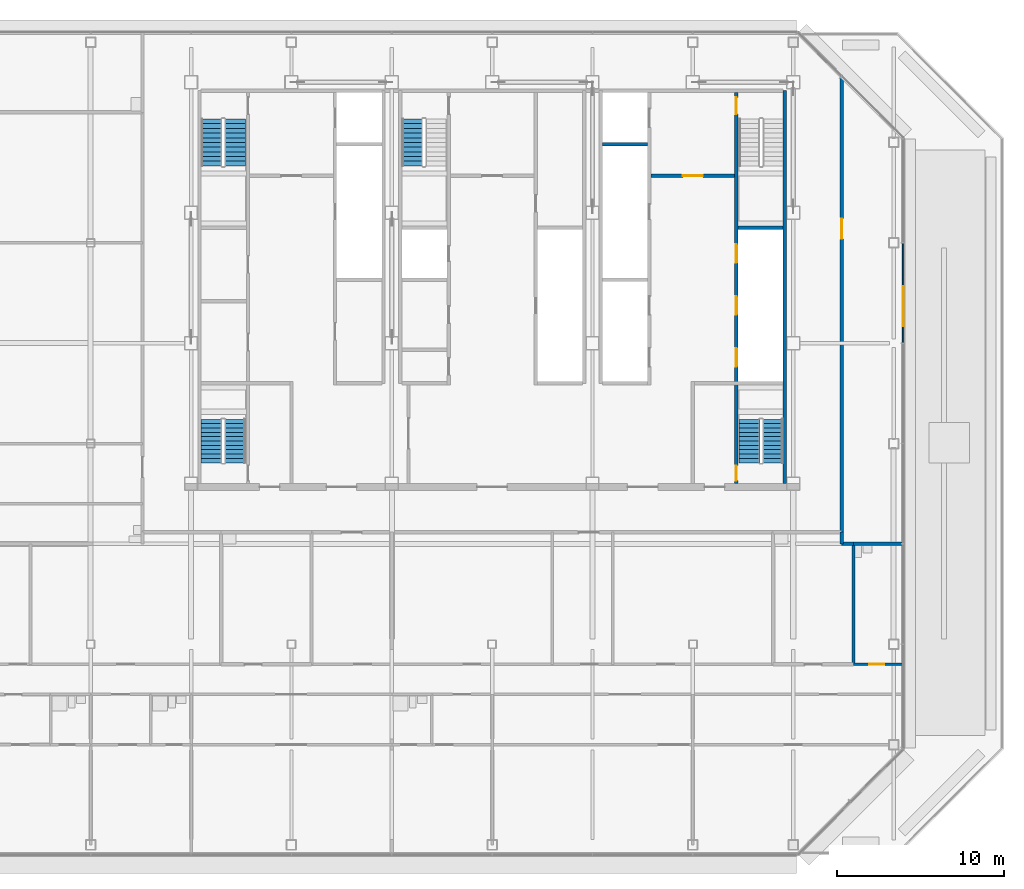
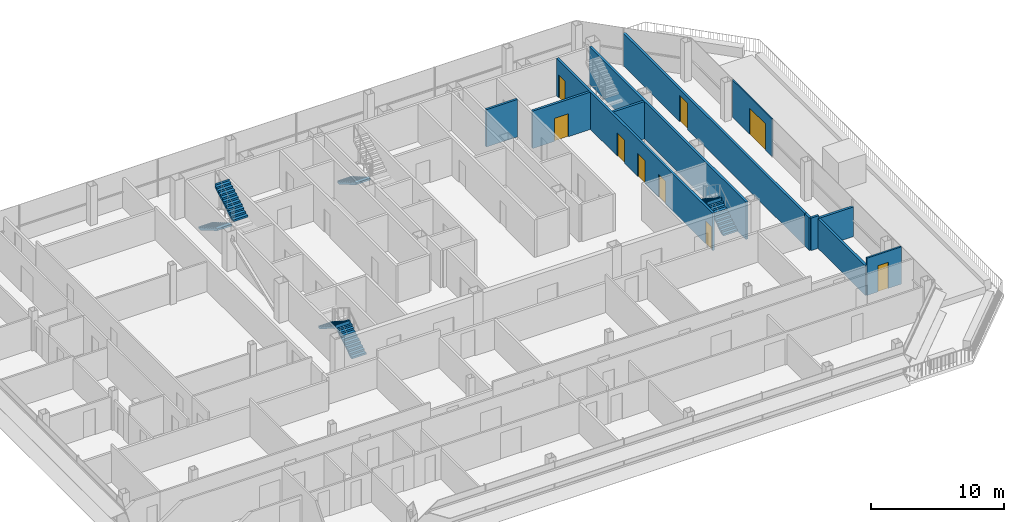
# One storey, part 22 of 28: 12 walls, 9 doors, 7 stair flights, 9 openings, 4 elements without a shape of their own.
"""IFC4 building model written with IfcOpenShell, lengths in metres."""

from ifc_helpers import new_model, si_unit, direction, frame, frame_2d, origin, place, context, subcontext, project, spatial, polyline, rectangle, outline, extrude, material, layer, layer_set, type_object, element, fill, aggregate, save


model = new_model("IFC4")

# Units and contexts
model_context = context("Model", 3, precision=1e-05, world=origin(), true_north=direction((0.0, 1.0)))
body_context = subcontext(model_context, "Body", "Model", "MODEL_VIEW")
ifc_project = project(units=[si_unit("LENGTHUNIT", "METRE"), si_unit("AREAUNIT", "SQUARE_METRE"), si_unit("VOLUMEUNIT", "CUBIC_METRE"), si_unit("PLANEANGLEUNIT", "RADIAN"), si_unit("MASSUNIT", "GRAM", prefix="KILO")], contexts=[model_context])

# Site, building, storey
site_placement = place(None, origin())
site = spatial("IfcSite", under=ifc_project, at=site_placement, CompositionType="ELEMENT")
building_placement = place(site_placement, origin())
building = spatial("IfcBuilding", under=site, at=building_placement, Name="Sorahane Residences", CompositionType="ELEMENT")
storey_placement = place(building_placement, frame((0.0, 0.0, 290.800048828125)))
storey = spatial("IfcBuildingStorey", under=building, at=storey_placement, Name="L68", CompositionType="ELEMENT", Elevation=290.800048828125)

# Wall
ifc_material_1 = material(Name="Concrete C30", Category="concrete")
ifc_layer_1 = layer(ifc_material_1, 0.199951171875)
ifc_layer_set_1 = layer_set([ifc_layer_1], Name="Core face wall 200 EI 180")
wall_type_1 = type_object("IfcWallType", Name="Core face wall 200 EI 180", PredefinedType="SOLIDWALL", material=ifc_layer_set_1)
wall_1_placement = place(storey_placement, frame((41.5, 21.60009765625, 0.0), z_axis=(0.0, 0.0, 1.0), x_axis=(0.0, 1.0, 0.0)))
element("IfcWall", 1, at=wall_1_placement, inside=storey, type_object=wall_type_1, Name="L68 core face wall", PredefinedType="SOLIDWALL", context=body_context, shape_type="SweptSolid", body=[
    extrude(rectangle(XDim=23.5, YDim=0.199951171875, at=frame_2d((11.75, 0.0))), origin(), (0.0, 0.0, 1.0), 3.419921875),
])

# Wall, opening, door
ifc_material_2 = material(Name="Concrete blockwork C20 wall", Category="masonry")
ifc_layer_2 = layer(ifc_material_2, 0.199951171875)
ifc_layer_set_2 = layer_set([ifc_layer_2], Name="Corridor wall 200 EI 120")
wall_type_2 = type_object("IfcWallType", Name="Corridor wall 200 EI 120", PredefinedType="SOLIDWALL", material=ifc_layer_set_2)
wall_2_placement = place(storey_placement, frame((44.89990234375, 18.699951171875, 0.0), z_axis=(0.0, 0.0, 1.0), x_axis=(0.0, 1.0, 0.0)))
wall_2 = element("IfcWall", 2, at=wall_2_placement, inside=storey, type_object=wall_type_2, Name="L68 corridor wall", PredefinedType="SOLIDWALL", context=body_context, shape_type="SweptSolid", body=[
    extrude(rectangle(XDim=27.2490234375, YDim=0.199951171875, at=frame_2d((13.62451171875, 0.0))), origin(), (0.0, 0.0, 1.0), 2.969970703125),
])
opening_1_placement = place(wall_2_placement, frame((17.5400390625, 0.0, 0.0)))
opening_1 = element("IfcOpeningElement", 3, at=opening_1_placement, cuts=wall_2, Name="Opening L68-45", PredefinedType="OPENING", context=body_context, shape_type="SweptSolid", body=[
    extrude(rectangle(XDim=1.199951171875, YDim=2.39990234375, at=frame_2d((0.60009765625, 1.199951171875))), frame((0.0, 0.10986328125, 0.0), z_axis=(0.0, -1.0, 0.0), x_axis=(1.0, 0.0, 0.0)), (0.0, 0.0, 1.0), 0.219970703125),
])
ifc_material_3 = material(Name="Steel", Category="steel")
door_type_1 = type_object("IfcDoorType", Name="Lobby door 1200x2400 FD60", OperationType="NOTDEFINED", PredefinedType="DOOR", material=ifc_material_3)
door_1_placement = place(opening_1_placement, frame((1.199951171875, 0.0, 0.0), z_axis=(0.0, 0.0, 1.0), x_axis=(-1.0, 0.0, 0.0)))
door_1 = element("IfcDoor", 4, at=door_1_placement, inside=storey, type_object=door_type_1, Name="Lobby door L68-45", OperationType="SINGLE_SWING_RIGHT", OverallHeight=2.39990234375, OverallWidth=1.199951171875, PredefinedType="DOOR", context=body_context, shape_type="SweptSolid", body=[
    extrude(rectangle(XDim=1.199951171875, YDim=2.39990234375, at=frame_2d((0.60009765625, 1.199951171875))), frame((0.0, 0.02490234375, 0.0), z_axis=(0.0, -1.0, 0.0), x_axis=(1.0, 0.0, 0.0)), (0.0, 0.0, 1.0), 0.050048828125),
])
fill(opening_1, door_1)

# Wall
wall_3_placement = place(storey_placement, frame((45.60009765625, 18.0, 0.0), z_axis=(0.0, 0.0, 1.0), x_axis=(1.0, 0.0, 0.0)))
element("IfcWall", 5, at=wall_3_placement, inside=storey, type_object=wall_type_2, Name="L68 corridor wall", PredefinedType="SOLIDWALL", context=body_context, shape_type="SweptSolid", body=[
    extrude(rectangle(XDim=3.0, YDim=0.199951171875, at=frame_2d((1.5, 0.0))), origin(), (0.0, 0.0, 1.0), 2.719970703125),
])

# Wall, opening, door
ifc_material_4 = material(Name="Concrete C30", Category="concrete")
ifc_layer_3 = layer(ifc_material_4, 0.199951171875)
ifc_layer_set_3 = layer_set([ifc_layer_3], Name="Front room wall 200 EI 120")
wall_type_3 = type_object("IfcWallType", Name="Front room wall 200 EI 120", PredefinedType="PARTITIONING", material=ifc_layer_set_3)
wall_4_placement = place(storey_placement, frame((33.5, 40.0, 0.0), z_axis=(0.0, 0.0, 1.0), x_axis=(1.0, 0.0, 0.0)))
wall_4 = element("IfcWall", 6, at=wall_4_placement, inside=storey, type_object=wall_type_3, Name="L68 front room wall", PredefinedType="PARTITIONING", context=body_context, shape_type="SweptSolid", body=[
    extrude(rectangle(XDim=5.0, YDim=0.199951171875, at=frame_2d((2.5, 0.0))), origin(), (0.0, 0.0, 1.0), 3.419921875),
])
opening_2_placement = place(wall_4_placement, frame((1.89990234375, 0.0, 0.0)))
opening_2 = element("IfcOpeningElement", 7, at=opening_2_placement, cuts=wall_4, Name="Opening L68-C09", PredefinedType="OPENING", context=body_context, shape_type="SweptSolid", body=[
    extrude(rectangle(XDim=1.199951171875, YDim=2.10009765625, at=frame_2d((0.60009765625, 1.050048828125))), frame((0.0, 0.10986328125, 0.0), z_axis=(0.0, -1.0, 0.0), x_axis=(1.0, 0.0, 0.0)), (0.0, 0.0, 1.0), 0.219970703125),
])
ifc_material_5 = material(Name="Steel", Category="steel")
door_type_2 = type_object("IfcDoorType", Name="Front room door 1200x2100 FD120", OperationType="NOTDEFINED", PredefinedType="DOOR", material=ifc_material_5)
door_2_placement = place(opening_2_placement, frame((1.199951171875, 0.0, 0.0), z_axis=(0.0, 0.0, 1.0), x_axis=(-1.0, 0.0, 0.0)))
door_2 = element("IfcDoor", 8, at=door_2_placement, inside=storey, type_object=door_type_2, Name="Front room door Firefighting lobby FF2 front room L68", OperationType="DOUBLE_DOOR_SINGLE_SWING", OverallHeight=2.10009765625, OverallWidth=1.199951171875, PredefinedType="DOOR", context=body_context, shape_type="SweptSolid", body=[
    extrude(rectangle(XDim=1.199951171875, YDim=2.10009765625, at=frame_2d((0.60009765625, 1.050048828125))), frame((0.0, 0.02490234375, 0.0), z_axis=(0.0, -1.0, 0.0), x_axis=(1.0, 0.0, 0.0)), (0.0, 0.0, 1.0), 0.050048828125),
])
fill(opening_2, door_2)

ifc_material_6 = material(Name="Toughened low-iron glass", Category="glass")
ifc_layer_4 = layer(ifc_material_6, 0.10009765625)
ifc_layer_set_4 = layer_set([ifc_layer_4], Name="Glazed door screen toughened low-iron glass 100")
wall_type_4 = type_object("IfcWallType", Name="Glazed door screen toughened low-iron glass 100", PredefinedType="SOLIDWALL", material=ifc_layer_set_4)
wall_5_placement = place(storey_placement, frame((48.570068359375, 30.02490234375, 0.0), z_axis=(0.0, 0.0, 1.0), x_axis=(0.0, 1.0, 0.0)))
wall_5 = element("IfcWall", 9, at=wall_5_placement, inside=storey, type_object=wall_type_4, Name="Glazed door screen L68 E1.5", PredefinedType="SOLIDWALL", context=body_context, shape_type="SweptSolid", body=[
    extrude(rectangle(XDim=5.9501953125, YDim=0.10009765625, at=frame_2d((2.97509765625, 0.0))), origin(), (0.0, 0.0, 1.0), 3.419921875),
])
opening_3_placement = place(wall_5_placement, frame((0.971435546875, 0.0, 0.0)))
opening_3 = element("IfcOpeningElement", 10, at=opening_3_placement, cuts=wall_5, Name="Opening L68-F01", PredefinedType="OPENING", context=body_context, shape_type="SweptSolid", body=[
    extrude(rectangle(XDim=2.39990234375, YDim=2.39990234375, at=frame_2d((1.199951171875, 1.199951171875))), frame((0.0, 0.06005859375, 0.0), z_axis=(0.0, -1.0, 0.0), x_axis=(1.0, 0.0, 0.0)), (0.0, 0.0, 1.0), 0.1201171875),
])
ifc_material_7 = material(Name="Black anodised aluminium and low-iron glass", Category="aluminium")
door_type_3 = type_object("IfcDoorType", Name="Glazed terrace door black aluminium 2400x2400", OperationType="DOUBLE_DOOR_SINGLE_SWING", PredefinedType="DOOR", material=ifc_material_7)
door_3_placement = place(opening_3_placement, origin())
door_3 = element("IfcDoor", 11, at=door_3_placement, inside=storey, type_object=door_type_3, Name="Terrace door L68-F01", OperationType="DOUBLE_DOOR_SINGLE_SWING", OverallHeight=2.39990234375, OverallWidth=2.39990234375, PredefinedType="DOOR", context=body_context, shape_type="SweptSolid", body=[
    extrude(rectangle(XDim=2.39990234375, YDim=2.39990234375, at=frame_2d((1.199951171875, 1.199951171875))), frame((0.0, 0.02490234375, 0.0), z_axis=(0.0, -1.0, 0.0), x_axis=(1.0, 0.0, 0.0)), (0.0, 0.0, 1.0), 0.050048828125),
])
fill(opening_3, door_3)

# Walls
ifc_material_8 = material(Name="Concrete blockwork C20 wall", Category="masonry")
ifc_layer_5 = layer(ifc_material_8, 0.199951171875)
ifc_layer_set_5 = layer_set([ifc_layer_5], Name="Kitchen wall 200 EI 180")
wall_type_5 = type_object("IfcWallType", Name="Kitchen wall 200 EI 180", PredefinedType="SOLIDWALL", material=ifc_layer_set_5)
wall_6_placement = place(storey_placement, frame((44.89990234375, 18.0, 0.0), z_axis=(0.0, 0.0, 1.0), x_axis=(0.0, 1.0, 0.0)))
element("IfcWall", 12, at=wall_6_placement, inside=storey, type_object=wall_type_5, Name="L68 kitchen wall", PredefinedType="SOLIDWALL", context=body_context, shape_type="SweptSolid", body=[
    extrude(rectangle(XDim=0.699951171875, YDim=0.199951171875, at=frame_2d((0.35009765625, 0.0))), origin(), (0.0, 0.0, 1.0), 2.969970703125),
])
wall_7_placement = place(storey_placement, frame((45.60009765625, 10.800048828125, 0.0), z_axis=(0.0, 0.0, 1.0), x_axis=(0.0, 1.0, 0.0)))
element("IfcWall", 13, at=wall_7_placement, inside=storey, type_object=wall_type_5, Name="L68 kitchen wall", PredefinedType="SOLIDWALL", context=body_context, shape_type="SweptSolid", body=[
    extrude(rectangle(XDim=7.199951171875, YDim=0.199951171875, at=frame_2d((3.60009765625, 0.0))), origin(), (0.0, 0.0, 1.0), 2.719970703125),
])
wall_8_placement = place(storey_placement, frame((44.89990234375, 18.0, 0.0), z_axis=(0.0, 0.0, 1.0), x_axis=(1.0, 0.0, 0.0)))
element("IfcWall", 14, at=wall_8_placement, inside=storey, type_object=wall_type_5, Name="L68 kitchen wall", PredefinedType="SOLIDWALL", context=body_context, shape_type="SweptSolid", body=[
    extrude(rectangle(XDim=0.7001953125, YDim=0.199951171875, at=frame_2d((0.35009765625, 0.0))), origin(), (0.0, 0.0, 1.0), 2.969970703125),
])
ifc_material_9 = material(Name="Concrete C30", Category="concrete")
ifc_layer_6 = layer(ifc_material_9, 0.199951171875)
ifc_layer_set_6 = layer_set([ifc_layer_6], Name="Lift shaft wall 200 EI 120")
wall_type_6 = type_object("IfcWallType", Name="Lift shaft wall 200 EI 120", PredefinedType="SOLIDWALL", material=ifc_layer_set_6)
wall_9_placement = place(storey_placement, frame((30.60009765625, 41.89990234375, 0.0), z_axis=(0.0, 0.0, 1.0), x_axis=(1.0, 0.0, 0.0)))
element("IfcWall", 15, at=wall_9_placement, inside=storey, type_object=wall_type_6, Name="L68 lift shaft wall", PredefinedType="SOLIDWALL", context=body_context, shape_type="SweptSolid", body=[
    extrude(rectangle(XDim=2.699951171875, YDim=0.199951171875, at=frame_2d((1.35009765625, 0.0))), origin(), (0.0, 0.0, 1.0), 3.419921875),
])

# Wall, openings, doors
ifc_material_10 = material(Name="Concrete C30", Category="concrete")
ifc_layer_7 = layer(ifc_material_10, 0.199951171875)
ifc_layer_set_7 = layer_set([ifc_layer_7], Name="Stair enclosure wall 200 EI 120")
wall_type_7 = type_object("IfcWallType", Name="Stair enclosure wall 200 EI 120", PredefinedType="SOLIDWALL", material=ifc_layer_set_7)
wall_10_placement = place(storey_placement, frame((38.60009765625, 21.60009765625, 0.0), z_axis=(0.0, 0.0, 1.0), x_axis=(0.0, 1.0, 0.0)))
wall_10 = element("IfcWall", 16, at=wall_10_placement, inside=storey, type_object=wall_type_7, Name="L68 stair enclosure wall", PredefinedType="SOLIDWALL", context=body_context, shape_type="SweptSolid", body=[
    extrude(rectangle(XDim=23.39990234375, YDim=0.199951171875, at=frame_2d((11.699951171875, 0.0))), origin(), (0.0, 0.0, 1.0), 3.419921875),
])
opening_4_placement = place(wall_10_placement, frame((7.0, 0.0, 0.0)))
opening_4 = element("IfcOpeningElement", 17, at=opening_4_placement, cuts=wall_10, Name="Opening L68-C10", PredefinedType="OPENING", context=body_context, shape_type="SweptSolid", body=[
    extrude(rectangle(XDim=1.10009765625, YDim=2.10009765625, at=frame_2d((0.550048828125, 1.050048828125))), frame((0.0, 0.10986328125, 0.0), z_axis=(0.0, -1.0, 0.0), x_axis=(1.0, 0.0, 0.0)), (0.0, 0.0, 1.0), 0.219970703125),
])
opening_5_placement = place(wall_10_placement, frame((10.10009765625, 0.0, 0.0)))
opening_5 = element("IfcOpeningElement", 18, at=opening_5_placement, cuts=wall_10, Name="Opening L68-C11", PredefinedType="OPENING", context=body_context, shape_type="SweptSolid", body=[
    extrude(rectangle(XDim=1.10009765625, YDim=2.10009765625, at=frame_2d((0.550048828125, 1.050048828125))), frame((0.0, 0.10986328125, 0.0), z_axis=(0.0, -1.0, 0.0), x_axis=(1.0, 0.0, 0.0)), (0.0, 0.0, 1.0), 0.219970703125),
])
opening_6_placement = place(wall_10_placement, frame((13.199951171875, 0.0, 0.0)))
opening_6 = element("IfcOpeningElement", 19, at=opening_6_placement, cuts=wall_10, Name="Opening L68-C12", PredefinedType="OPENING", context=body_context, shape_type="SweptSolid", body=[
    extrude(rectangle(XDim=1.10009765625, YDim=2.10009765625, at=frame_2d((0.550048828125, 1.050048828125))), frame((0.0, 0.10986328125, 0.0), z_axis=(0.0, -1.0, 0.0), x_axis=(1.0, 0.0, 0.0)), (0.0, 0.0, 1.0), 0.219970703125),
])
opening_7_placement = place(wall_10_placement, frame((22.10009765625, 0.0, 0.0)))
opening_7 = element("IfcOpeningElement", 20, at=opening_7_placement, cuts=wall_10, Name="Opening L68-C23", PredefinedType="OPENING", context=body_context, shape_type="SweptSolid", body=[
    extrude(rectangle(XDim=1.0, YDim=2.10009765625, at=frame_2d((0.5, 1.050048828125))), frame((0.0, 0.10986328125, 0.0), z_axis=(0.0, -1.0, 0.0), x_axis=(1.0, 0.0, 0.0)), (0.0, 0.0, 1.0), 0.219970703125),
])
opening_8_placement = place(wall_10_placement, frame((0.175048828125, 0.0, 0.0)))
opening_8 = element("IfcOpeningElement", 21, at=opening_8_placement, cuts=wall_10, Name="Opening L68-C26", PredefinedType="OPENING", context=body_context, shape_type="SweptSolid", body=[
    extrude(rectangle(XDim=0.89990234375, YDim=2.10009765625, at=frame_2d((0.449951171875, 1.050048828125))), frame((0.0, 0.10986328125, 0.0), z_axis=(0.0, -1.0, 0.0), x_axis=(1.0, 0.0, 0.0)), (0.0, 0.0, 1.0), 0.219970703125),
])
ifc_material_11 = material(Name="Aluminium and stainless steel", Category="steel")
door_type_4 = type_object("IfcDoorType", Name="Lift landing door 1100x2100 E 60", OperationType="NOTDEFINED", PredefinedType="DOOR", material=ifc_material_11)
door_4_placement = place(opening_4_placement, origin())
door_4 = element("IfcDoor", 22, at=door_4_placement, inside=storey, type_object=door_type_4, Name="Lift landing door HR1 L68", OperationType="DOUBLE_DOOR_SLIDING", OverallHeight=2.10009765625, OverallWidth=1.10009765625, PredefinedType="DOOR", context=body_context, shape_type="SweptSolid", body=[
    extrude(rectangle(XDim=1.10009765625, YDim=2.10009765625, at=frame_2d((0.550048828125, 1.050048828125))), frame((0.0, 0.02490234375, 0.0), z_axis=(0.0, -1.0, 0.0), x_axis=(1.0, 0.0, 0.0)), (0.0, 0.0, 1.0), 0.050048828125),
])
fill(opening_4, door_4)
door_5_placement = place(opening_5_placement, origin())
door_5 = element("IfcDoor", 23, at=door_5_placement, inside=storey, type_object=door_type_4, Name="Lift landing door HR2 L68", OperationType="DOUBLE_DOOR_SLIDING", OverallHeight=2.10009765625, OverallWidth=1.10009765625, PredefinedType="DOOR", context=body_context, shape_type="SweptSolid", body=[
    extrude(rectangle(XDim=1.10009765625, YDim=2.10009765625, at=frame_2d((0.550048828125, 1.050048828125))), frame((0.0, 0.02490234375, 0.0), z_axis=(0.0, -1.0, 0.0), x_axis=(1.0, 0.0, 0.0)), (0.0, 0.0, 1.0), 0.050048828125),
])
fill(opening_5, door_5)
door_6_placement = place(opening_6_placement, origin())
door_6 = element("IfcDoor", 24, at=door_6_placement, inside=storey, type_object=door_type_4, Name="Lift landing door HR3 L68", OperationType="DOUBLE_DOOR_SLIDING", OverallHeight=2.10009765625, OverallWidth=1.10009765625, PredefinedType="DOOR", context=body_context, shape_type="SweptSolid", body=[
    extrude(rectangle(XDim=1.10009765625, YDim=2.10009765625, at=frame_2d((0.550048828125, 1.050048828125))), frame((0.0, 0.02490234375, 0.0), z_axis=(0.0, -1.0, 0.0), x_axis=(1.0, 0.0, 0.0)), (0.0, 0.0, 1.0), 0.050048828125),
])
fill(opening_6, door_6)
ifc_material_12 = material(Name="Steel", Category="steel")
door_type_5 = type_object("IfcDoorType", Name="Stair door 1000x2100 FD120", OperationType="NOTDEFINED", PredefinedType="DOOR", material=ifc_material_12)
door_7_placement = place(opening_7_placement, frame((1.0, 0.0, 0.0), z_axis=(0.0, 0.0, 1.0), x_axis=(-1.0, 0.0, 0.0)))
door_7 = element("IfcDoor", 25, at=door_7_placement, inside=storey, type_object=door_type_5, Name="Stair door S2 L68", OperationType="SINGLE_SWING_LEFT", OverallHeight=2.10009765625, OverallWidth=1.0, PredefinedType="DOOR", context=body_context, shape_type="SweptSolid", body=[
    extrude(rectangle(XDim=1.0, YDim=2.10009765625, at=frame_2d((0.5, 1.050048828125))), frame((0.0, 0.02490234375, 0.0), z_axis=(0.0, -1.0, 0.0), x_axis=(1.0, 0.0, 0.0)), (0.0, 0.0, 1.0), 0.050048828125),
])
fill(opening_7, door_7)
ifc_material_13 = material(Name="Steel", Category="steel")
door_type_6 = type_object("IfcDoorType", Name="Stair door 900x2100 FD120", OperationType="NOTDEFINED", PredefinedType="DOOR", material=ifc_material_13)
door_8_placement = place(opening_8_placement, frame((0.89990234375, 0.0, 0.0), z_axis=(0.0, 0.0, 1.0), x_axis=(-1.0, 0.0, 0.0)))
door_8 = element("IfcDoor", 26, at=door_8_placement, inside=storey, type_object=door_type_6, Name="Stair door S5 L68", OperationType="SINGLE_SWING_LEFT", OverallHeight=2.10009765625, OverallWidth=0.89990234375, PredefinedType="DOOR", context=body_context, shape_type="SweptSolid", body=[
    extrude(rectangle(XDim=0.89990234375, YDim=2.10009765625, at=frame_2d((0.449951171875, 1.050048828125))), frame((0.0, 0.02490234375, 0.0), z_axis=(0.0, -1.0, 0.0), x_axis=(1.0, 0.0, 0.0)), (0.0, 0.0, 1.0), 0.050048828125),
])
fill(opening_8, door_8)

# Wall
wall_11_placement = place(storey_placement, frame((38.699951171875, 36.89990234375, 0.0), z_axis=(0.0, 0.0, 1.0), x_axis=(1.0, 0.0, 0.0)))
element("IfcWall", 27, at=wall_11_placement, inside=storey, type_object=wall_type_7, Name="L68 stair enclosure wall", PredefinedType="SOLIDWALL", context=body_context, shape_type="SweptSolid", body=[
    extrude(rectangle(XDim=2.699951171875, YDim=0.199951171875, at=frame_2d((1.35009765625, 0.0))), origin(), (0.0, 0.0, 1.0), 3.419921875),
])

# Wall, opening, door
ifc_material_14 = material(Name="Gypsum board partition on steel studs", Category="steel")
ifc_layer_8 = layer(ifc_material_14, 0.14990234375)
ifc_layer_set_8 = layer_set([ifc_layer_8], Name="Wet wall 150 EI 90")
wall_type_8 = type_object("IfcWallType", Name="Wet wall 150 EI 90", PredefinedType="PARTITIONING", material=ifc_layer_set_8)
wall_12_placement = place(storey_placement, frame((45.60009765625, 10.800048828125, 0.0), z_axis=(0.0, 0.0, 1.0), x_axis=(1.0, 0.0, 0.0)))
wall_12 = element("IfcWall", 28, at=wall_12_placement, inside=storey, type_object=wall_type_8, Name="L68 wet wall", PredefinedType="PARTITIONING", context=body_context, shape_type="SweptSolid", body=[
    extrude(rectangle(XDim=3.0, YDim=0.14990234375, at=frame_2d((1.5, 0.0))), origin(), (0.0, 0.0, 1.0), 3.419921875),
])
opening_9_placement = place(wall_12_placement, frame((0.949951171875, 0.0, 0.0)))
opening_9 = element("IfcOpeningElement", 29, at=opening_9_placement, cuts=wall_12, Name="Opening L68-20", PredefinedType="OPENING", context=body_context, shape_type="SweptSolid", body=[
    extrude(rectangle(XDim=0.89990234375, YDim=2.39990234375, at=frame_2d((0.449951171875, 1.199951171875))), frame((0.0, 0.0849609375, 0.0), z_axis=(0.0, -1.0, 0.0), x_axis=(1.0, 0.0, 0.0)), (0.0, 0.0, 1.0), 0.169921875),
])
ifc_material_15 = material(Name="Timber veneered fire door", Category="wood")
door_type_7 = type_object("IfcDoorType", Name="Bathroom door 900x2400 FD30", OperationType="NOTDEFINED", PredefinedType="DOOR", material=ifc_material_15)
door_9_placement = place(opening_9_placement, frame((0.89990234375, 0.0, 0.0), z_axis=(0.0, 0.0, 1.0), x_axis=(-1.0, 0.0, 0.0)))
door_9 = element("IfcDoor", 30, at=door_9_placement, inside=storey, type_object=door_type_7, Name="Bathroom door L68-20", OperationType="SINGLE_SWING_RIGHT", OverallHeight=2.39990234375, OverallWidth=0.89990234375, PredefinedType="DOOR", context=body_context, shape_type="SweptSolid", body=[
    extrude(rectangle(XDim=0.89990234375, YDim=2.39990234375, at=frame_2d((0.449951171875, 1.199951171875))), frame((0.0, 0.02490234375, 0.0), z_axis=(0.0, -1.0, 0.0), x_axis=(1.0, 0.0, 0.0)), (0.0, 0.0, 1.0), 0.050048828125),
])
fill(opening_9, door_9)

# Stair, stair flights
ifc_material_16 = material(Name="Concrete C40", Category="concrete")
stair_type = type_object("IfcStairType", Name="Dog-leg stair 1250 Concrete C40", PredefinedType="HALF_TURN_STAIR", material=ifc_material_16)
stair_1_placement = place(storey_placement, origin())
stair_1 = element("IfcStair", 31, at=stair_1_placement, inside=storey, type_object=stair_type, Name="L68 Stair S1", PredefinedType="HALF_TURN_STAIR")
ifc_material_17 = material(Name="Concrete C40", Category="concrete")
stair_flight_type = type_object("IfcStairFlightType", Name="Stair flight 1250 Concrete C40", PredefinedType="STRAIGHT", material=ifc_material_17)
stair_flight_1_placement = place(storey_placement, frame((7.22509765625, 43.39990234375, 0.0), z_axis=(0.0, 0.0, 1.0), x_axis=(0.0, -1.0, 0.0)))
stair_flight_1 = element("IfcStairFlight", 32, at=stair_flight_1_placement, type_object=stair_flight_type, Name="S1 flight 1", NumberOfRisers=11, NumberOfTreads=10, PredefinedType="STRAIGHT", RiserHeight=0.163636364, TreadLength=0.28, context=body_context, shape_type="SweptSolid", body=[
    extrude(outline(polyline([(-0.00146484375, 0.0), (-0.00146484375, 0.16357421875), (0.0, 0.16357421875), (0.280029296875, 0.16357421875), (0.280029296875, 0.327392578125), (0.56005859375, 0.327392578125), (0.56005859375, 0.490966796875), (0.840087890625, 0.490966796875), (0.840087890625, 0.654541015625), (1.1201171875, 0.654541015625), (1.1201171875, 0.818115234375), (1.39990234375, 0.818115234375), (1.39990234375, 0.98193359375), (1.679931640625, 0.98193359375), (1.679931640625, 1.1455078125), (1.9599609375, 1.1455078125), (1.9599609375, 1.30908203125), (2.239990234375, 1.30908203125), (2.239990234375, 1.47265625), (2.52001953125, 1.47265625), (2.52001953125, 1.636474609375), (2.800048828125, 1.636474609375), (2.800048828125, 1.800048828125), (2.800048828125, 1.462646484375), (2.59130859375, 1.3408203125), (2.3828125, 1.218994140625), (2.17431640625, 1.09716796875), (1.965576171875, 0.97509765625), (1.757080078125, 0.853271484375), (1.548583984375, 0.7314453125), (1.340087890625, 0.609375), (1.13134765625, 0.487548828125), (0.9228515625, 0.36572265625), (0.71435546875, 0.243896484375), (0.505615234375, 0.121826171875), (0.297119140625, 0.0), (-0.00146484375, 0.0)])), frame((0.0, 0.625, 0.0), z_axis=(0.0, -1.0, 0.0), x_axis=(1.0, 0.0, 0.0)), (0.0, 0.0, 1.0), 1.25),
])
stair_flight_2_placement = place(storey_placement, frame((8.625, 40.60009765625, 1.800048828125), z_axis=(0.0, 0.0, 1.0), x_axis=(0.0, 1.0, 0.0)))
stair_flight_2 = element("IfcStairFlight", 33, at=stair_flight_2_placement, type_object=stair_flight_type, Name="S1 flight 2", NumberOfRisers=11, NumberOfTreads=10, PredefinedType="STRAIGHT", RiserHeight=0.163636364, TreadLength=0.28, context=body_context, shape_type="SweptSolid", body=[
    extrude(outline(polyline([(0.0, 0.0), (0.0, 0.16357421875), (0.280029296875, 0.16357421875), (0.280029296875, 0.327392578125), (0.56005859375, 0.327392578125), (0.56005859375, 0.490966796875), (0.840087890625, 0.490966796875), (0.840087890625, 0.654541015625), (1.1201171875, 0.654541015625), (1.1201171875, 0.818115234375), (1.39990234375, 0.818115234375), (1.39990234375, 0.98193359375), (1.679931640625, 0.98193359375), (1.679931640625, 1.1455078125), (1.9599609375, 1.1455078125), (1.9599609375, 1.30908203125), (2.239990234375, 1.30908203125), (2.239990234375, 1.47265625), (2.52001953125, 1.47265625), (2.52001953125, 1.636474609375), (2.800048828125, 1.636474609375), (2.800048828125, 1.800048828125), (2.801513671875, 1.800048828125), (2.801513671875, 1.462646484375), (2.5927734375, 1.3408203125), (2.384033203125, 1.218994140625), (2.17529296875, 1.09716796875), (1.966796875, 0.97509765625), (1.758056640625, 0.853271484375), (1.54931640625, 0.7314453125), (1.340576171875, 0.609375), (1.1318359375, 0.487548828125), (0.923095703125, 0.36572265625), (0.714599609375, 0.243896484375), (0.505859375, 0.121826171875), (0.297119140625, 0.0), (0.0, 0.0)])), frame((0.0, 0.625, 0.0), z_axis=(0.0, -1.0, 0.0), x_axis=(1.0, 0.0, 0.0)), (0.0, 0.0, 1.0), 1.25),
])
aggregate(stair_1, [stair_flight_1, stair_flight_2])

# Stair, stair flight
stair_2_placement = place(storey_placement, origin())
stair_2 = element("IfcStair", 34, at=stair_2_placement, inside=storey, type_object=stair_type, Name="L68 Stair S3", PredefinedType="HALF_TURN_STAIR")
stair_flight_3_placement = place(storey_placement, frame((19.22509765625, 43.39990234375, 0.0), z_axis=(0.0, 0.0, 1.0), x_axis=(0.0, -1.0, 0.0)))
stair_flight_3 = element("IfcStairFlight", 35, at=stair_flight_3_placement, type_object=stair_flight_type, Name="S3 flight 1", NumberOfRisers=11, NumberOfTreads=10, PredefinedType="STRAIGHT", RiserHeight=0.163636364, TreadLength=0.28, context=body_context, shape_type="SweptSolid", body=[
    extrude(outline(polyline([(-0.00146484375, 0.0), (-0.00146484375, 0.16357421875), (0.0, 0.16357421875), (0.280029296875, 0.16357421875), (0.280029296875, 0.327392578125), (0.56005859375, 0.327392578125), (0.56005859375, 0.490966796875), (0.840087890625, 0.490966796875), (0.840087890625, 0.654541015625), (1.1201171875, 0.654541015625), (1.1201171875, 0.818115234375), (1.39990234375, 0.818115234375), (1.39990234375, 0.98193359375), (1.679931640625, 0.98193359375), (1.679931640625, 1.1455078125), (1.9599609375, 1.1455078125), (1.9599609375, 1.30908203125), (2.239990234375, 1.30908203125), (2.239990234375, 1.47265625), (2.52001953125, 1.47265625), (2.52001953125, 1.636474609375), (2.800048828125, 1.636474609375), (2.800048828125, 1.800048828125), (2.800048828125, 1.462646484375), (2.59130859375, 1.3408203125), (2.3828125, 1.218994140625), (2.17431640625, 1.09716796875), (1.965576171875, 0.97509765625), (1.757080078125, 0.853271484375), (1.548583984375, 0.7314453125), (1.340087890625, 0.609375), (1.13134765625, 0.487548828125), (0.9228515625, 0.36572265625), (0.71435546875, 0.243896484375), (0.505615234375, 0.121826171875), (0.297119140625, 0.0), (-0.00146484375, 0.0)])), frame((0.0, 0.625, 0.0), z_axis=(0.0, -1.0, 0.0), x_axis=(1.0, 0.0, 0.0)), (0.0, 0.0, 1.0), 1.25),
])
aggregate(stair_2, [stair_flight_3])

# Stair, stair flights
stair_3_placement = place(storey_placement, origin())
stair_3 = element("IfcStair", 36, at=stair_3_placement, inside=storey, type_object=stair_type, Name="L68 Stair S4", PredefinedType="HALF_TURN_STAIR")
stair_flight_4_placement = place(storey_placement, frame((8.625, 22.85009765625, 0.0), z_axis=(0.0, 0.0, 1.0), x_axis=(0.0, 1.0, 0.0)))
stair_flight_4 = element("IfcStairFlight", 37, at=stair_flight_4_placement, type_object=stair_flight_type, Name="S4 flight 1", NumberOfRisers=11, NumberOfTreads=10, PredefinedType="STRAIGHT", RiserHeight=0.163636364, TreadLength=0.26, context=body_context, shape_type="SweptSolid", body=[
    extrude(outline(polyline([(-0.00146484375, 0.0), (-0.00146484375, 0.16357421875), (0.0, 0.16357421875), (0.260009765625, 0.16357421875), (0.260009765625, 0.327392578125), (0.52001953125, 0.327392578125), (0.52001953125, 0.490966796875), (0.780029296875, 0.490966796875), (0.780029296875, 0.654541015625), (1.0400390625, 0.654541015625), (1.0400390625, 0.818115234375), (1.300048828125, 0.818115234375), (1.300048828125, 0.98193359375), (1.56005859375, 0.98193359375), (1.56005859375, 1.1455078125), (1.820068359375, 1.1455078125), (1.820068359375, 1.30908203125), (2.080078125, 1.30908203125), (2.080078125, 1.47265625), (2.340087890625, 1.47265625), (2.340087890625, 1.636474609375), (2.60009765625, 1.636474609375), (2.60009765625, 1.800048828125), (2.60009765625, 1.494384765625), (2.402099609375, 1.369873046875), (2.204345703125, 1.245361328125), (2.00634765625, 1.120849609375), (1.80859375, 0.996337890625), (1.610595703125, 0.871826171875), (1.412841796875, 0.747314453125), (1.21484375, 0.622802734375), (1.01708984375, 0.498046875), (0.819091796875, 0.37353515625), (0.621337890625, 0.2490234375), (0.42333984375, 0.12451171875), (0.2255859375, 0.0), (-0.00146484375, 0.0)])), frame((0.0, 0.625, 0.0), z_axis=(0.0, -1.0, 0.0), x_axis=(1.0, 0.0, 0.0)), (0.0, 0.0, 1.0), 1.25),
])
stair_flight_5_placement = place(storey_placement, frame((7.22509765625, 25.449951171875, 1.800048828125), z_axis=(0.0, 0.0, 1.0), x_axis=(0.0, -1.0, 0.0)))
stair_flight_5 = element("IfcStairFlight", 38, at=stair_flight_5_placement, type_object=stair_flight_type, Name="S4 flight 2", NumberOfRisers=11, NumberOfTreads=10, PredefinedType="STRAIGHT", RiserHeight=0.163636364, TreadLength=0.26, context=body_context, shape_type="SweptSolid", body=[
    extrude(outline(polyline([(0.0, 0.0), (0.0, 0.16357421875), (0.260009765625, 0.16357421875), (0.260009765625, 0.327392578125), (0.52001953125, 0.327392578125), (0.52001953125, 0.490966796875), (0.780029296875, 0.490966796875), (0.780029296875, 0.654541015625), (1.0400390625, 0.654541015625), (1.0400390625, 0.818115234375), (1.300048828125, 0.818115234375), (1.300048828125, 0.98193359375), (1.56005859375, 0.98193359375), (1.56005859375, 1.1455078125), (1.820068359375, 1.1455078125), (1.820068359375, 1.30908203125), (2.080078125, 1.30908203125), (2.080078125, 1.47265625), (2.340087890625, 1.47265625), (2.340087890625, 1.636474609375), (2.60009765625, 1.636474609375), (2.60009765625, 1.800048828125), (2.6015625, 1.800048828125), (2.6015625, 1.494384765625), (2.403564453125, 1.369873046875), (2.20556640625, 1.245361328125), (2.007568359375, 1.120849609375), (1.8095703125, 0.996337890625), (1.611572265625, 0.871826171875), (1.41357421875, 0.747314453125), (1.215576171875, 0.622802734375), (1.017578125, 0.498046875), (0.819580078125, 0.37353515625), (0.62158203125, 0.2490234375), (0.423583984375, 0.12451171875), (0.2255859375, 0.0), (0.0, 0.0)])), frame((0.0, 0.625, 0.0), z_axis=(0.0, -1.0, 0.0), x_axis=(1.0, 0.0, 0.0)), (0.0, 0.0, 1.0), 1.25),
])
aggregate(stair_3, [stair_flight_4, stair_flight_5])

stair_4_placement = place(storey_placement, origin())
stair_4 = element("IfcStair", 39, at=stair_4_placement, inside=storey, type_object=stair_type, Name="L68 Stair S5", PredefinedType="HALF_TURN_STAIR")
stair_flight_6_placement = place(storey_placement, frame((40.77490234375, 22.85009765625, 0.0), z_axis=(0.0, 0.0, 1.0), x_axis=(0.0, 1.0, 0.0)))
stair_flight_6 = element("IfcStairFlight", 40, at=stair_flight_6_placement, type_object=stair_flight_type, Name="S5 flight 1", NumberOfRisers=11, NumberOfTreads=10, PredefinedType="STRAIGHT", RiserHeight=0.163636364, TreadLength=0.26, context=body_context, shape_type="SweptSolid", body=[
    extrude(outline(polyline([(-0.00146484375, 0.0), (-0.00146484375, 0.16357421875), (0.0, 0.16357421875), (0.260009765625, 0.16357421875), (0.260009765625, 0.327392578125), (0.52001953125, 0.327392578125), (0.52001953125, 0.490966796875), (0.780029296875, 0.490966796875), (0.780029296875, 0.654541015625), (1.0400390625, 0.654541015625), (1.0400390625, 0.818115234375), (1.300048828125, 0.818115234375), (1.300048828125, 0.98193359375), (1.56005859375, 0.98193359375), (1.56005859375, 1.1455078125), (1.820068359375, 1.1455078125), (1.820068359375, 1.30908203125), (2.080078125, 1.30908203125), (2.080078125, 1.47265625), (2.340087890625, 1.47265625), (2.340087890625, 1.636474609375), (2.60009765625, 1.636474609375), (2.60009765625, 1.800048828125), (2.60009765625, 1.494384765625), (2.402099609375, 1.369873046875), (2.204345703125, 1.245361328125), (2.00634765625, 1.120849609375), (1.80859375, 0.996337890625), (1.610595703125, 0.871826171875), (1.412841796875, 0.747314453125), (1.21484375, 0.622802734375), (1.01708984375, 0.498046875), (0.819091796875, 0.37353515625), (0.621337890625, 0.2490234375), (0.42333984375, 0.12451171875), (0.2255859375, 0.0), (-0.00146484375, 0.0)])), frame((0.0, 0.625, 0.0), z_axis=(0.0, -1.0, 0.0), x_axis=(1.0, 0.0, 0.0)), (0.0, 0.0, 1.0), 1.25),
])
stair_flight_7_placement = place(storey_placement, frame((39.375, 25.449951171875, 1.800048828125), z_axis=(0.0, 0.0, 1.0), x_axis=(0.0, -1.0, 0.0)))
stair_flight_7 = element("IfcStairFlight", 41, at=stair_flight_7_placement, type_object=stair_flight_type, Name="S5 flight 2", NumberOfRisers=11, NumberOfTreads=10, PredefinedType="STRAIGHT", RiserHeight=0.163636364, TreadLength=0.26, context=body_context, shape_type="SweptSolid", body=[
    extrude(outline(polyline([(0.0, 0.0), (0.0, 0.16357421875), (0.260009765625, 0.16357421875), (0.260009765625, 0.327392578125), (0.52001953125, 0.327392578125), (0.52001953125, 0.490966796875), (0.780029296875, 0.490966796875), (0.780029296875, 0.654541015625), (1.0400390625, 0.654541015625), (1.0400390625, 0.818115234375), (1.300048828125, 0.818115234375), (1.300048828125, 0.98193359375), (1.56005859375, 0.98193359375), (1.56005859375, 1.1455078125), (1.820068359375, 1.1455078125), (1.820068359375, 1.30908203125), (2.080078125, 1.30908203125), (2.080078125, 1.47265625), (2.340087890625, 1.47265625), (2.340087890625, 1.636474609375), (2.60009765625, 1.636474609375), (2.60009765625, 1.800048828125), (2.6015625, 1.800048828125), (2.6015625, 1.494384765625), (2.403564453125, 1.369873046875), (2.20556640625, 1.245361328125), (2.007568359375, 1.120849609375), (1.8095703125, 0.996337890625), (1.611572265625, 0.871826171875), (1.41357421875, 0.747314453125), (1.215576171875, 0.622802734375), (1.017578125, 0.498046875), (0.819580078125, 0.37353515625), (0.62158203125, 0.2490234375), (0.423583984375, 0.12451171875), (0.2255859375, 0.0), (0.0, 0.0)])), frame((0.0, 0.625, 0.0), z_axis=(0.0, -1.0, 0.0), x_axis=(1.0, 0.0, 0.0)), (0.0, 0.0, 1.0), 1.25),
])
aggregate(stair_4, [stair_flight_6, stair_flight_7])

save(model, "model.ifc")
